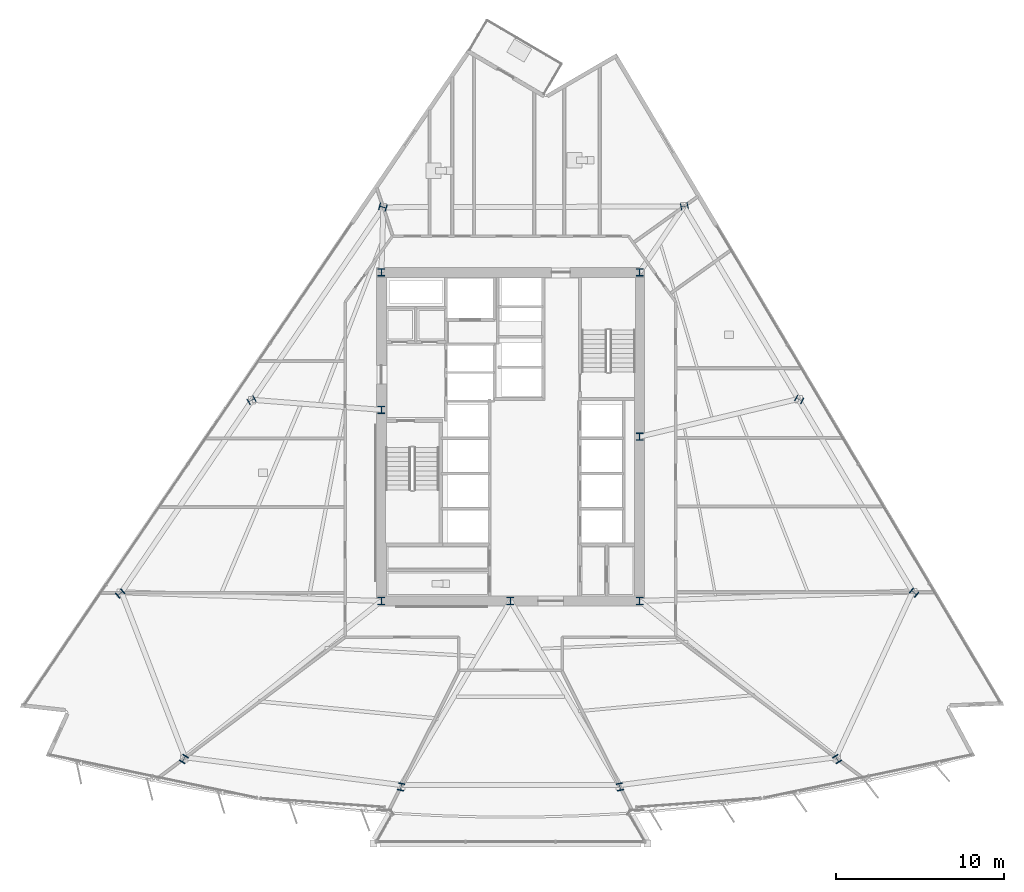
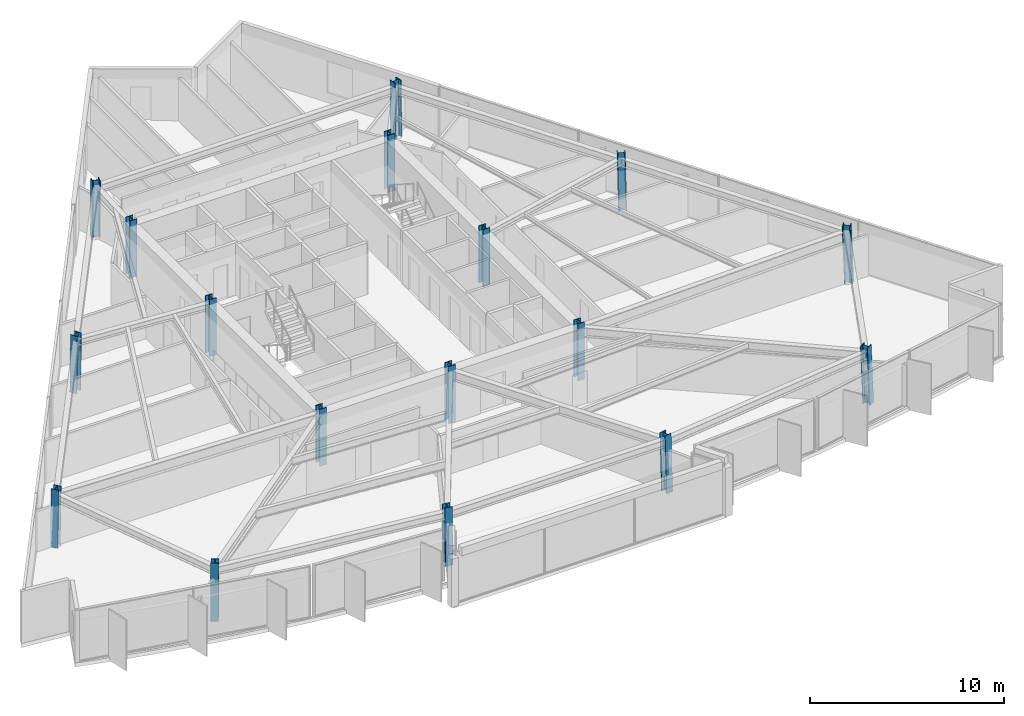
# One storey, part 1 of 16: 17 columns.
"""IFC4 building model written with IfcOpenShell, lengths in metres."""

import ifcopenshell
import ifcopenshell.guid

model = None  # the IFC model being written
_history = None  # IfcOwnerHistory: only IFC2X3 demands one
_inside = {}  # id of a spatial element -> (the spatial element, [elements in it])
_under = {}  # id of a project, library or spatial element -> (it, [spatial elements below it])
_declared = {}  # id of a project -> (the project, [libraries it declares])
_typed = {}  # id of a type object -> (the type object, [elements of that type])
_made_of = {}  # id of a material, layer set ... -> (it, [elements and type objects made of it])


def new_model(schema):
    """Start an empty IFC model of exactly this schema.

    Asked for "IFC4X3", IfcOpenShell would pick the latest addendum, in which some entities
    have other attributes; the version numbers below select the first issue.
    IFC2X3 requires an IfcOwnerHistory on every rooted entity: one is made here for all.
    """
    global model, _history
    if schema == "IFC4X3":
        model = ifcopenshell.file(schema_version=(4, 3, 0, 0))
    else:
        model = ifcopenshell.file(schema=schema)
    _inside.clear()
    _under.clear()
    _declared.clear()
    _typed.clear()
    _made_of.clear()
    _history = None
    if model.schema == "IFC2X3":
        org = make("IfcOrganization", Name="unknown")
        user = make(
            "IfcPersonAndOrganization",
            ThePerson=make("IfcPerson", FamilyName="unknown"),
            TheOrganization=org,
        )
        app = make(
            "IfcApplication",
            ApplicationDeveloper=org,
            Version="unknown",
            ApplicationFullName="unknown",
            ApplicationIdentifier="unknown",
        )
        _history = make(
            "IfcOwnerHistory",
            OwningUser=user,
            OwningApplication=app,
            ChangeAction="ADDED",
            CreationDate=0,
        )
    return model


def make(cls, **values):
    """One entity of the class cls with the attributes given. An attribute that is None is left unset."""
    return model.create_entity(
        cls, **{name: value for name, value in values.items() if value is not None}
    )


def rooted(cls, **values):
    """An entity with a GlobalId (a new one), such as an element, a storey or a relation."""
    return make(cls, GlobalId=ifcopenshell.guid.new(), OwnerHistory=_history, **values)


def si_unit(unit_type, name, prefix=None):
    """IfcSIUnit, for example si_unit("LENGTHUNIT", "METRE", prefix="MILLI")."""
    return make("IfcSIUnit", UnitType=unit_type, Prefix=prefix, Name=name)


def assignment(units):
    """IfcUnitAssignment: the units of a project."""
    return None if units is None else make("IfcUnitAssignment", Units=units)


def point(xyz):
    """IfcCartesianPoint."""
    return None if xyz is None else make("IfcCartesianPoint", Coordinates=xyz)


def direction(xyz):
    """IfcDirection."""
    return None if xyz is None else make("IfcDirection", DirectionRatios=xyz)


def frame(location, z_axis=None, x_axis=None):
    """IfcAxis2Placement3D, a coordinate frame: its origin and axes. An axis left out is left unset."""
    return make(
        "IfcAxis2Placement3D",
        Location=point(location),
        Axis=direction(z_axis),
        RefDirection=direction(x_axis),
    )


def frame_2d(location, x_axis=None):
    """IfcAxis2Placement2D, a coordinate frame in the plane: its origin and x axis."""
    return make(
        "IfcAxis2Placement2D", Location=point(location), RefDirection=direction(x_axis)
    )


def origin():
    """The frame at (0, 0, 0) with its axes left unset."""
    return frame((0.0, 0.0, 0.0))


def origin_2d():
    """The frame at (0, 0) in the plane with its x axis left unset."""
    return frame_2d((0.0, 0.0))


def place(relative_to, where):
    """IfcLocalPlacement: puts the frame where relative to a parent placement (None: the world)."""
    return make(
        "IfcLocalPlacement", PlacementRelTo=relative_to, RelativePlacement=where
    )


def context(
    kind, dimensions, precision=None, world=None, true_north=None, identifier=None
):
    """IfcGeometricRepresentationContext, for example the 3D "Model" context."""
    return make(
        "IfcGeometricRepresentationContext",
        ContextIdentifier=identifier,
        ContextType=kind,
        CoordinateSpaceDimension=dimensions,
        Precision=precision,
        WorldCoordinateSystem=world,
        TrueNorth=true_north,
    )


def subcontext(parent, identifier, kind, view, scale=None):
    """IfcGeometricRepresentationSubContext, for example "Body" below "Model"."""
    return make(
        "IfcGeometricRepresentationSubContext",
        ContextIdentifier=identifier,
        ContextType=kind,
        ParentContext=parent,
        TargetScale=scale,
        TargetView=view,
    )


def project(units=None, contexts=None):
    """IfcProject with its units and contexts."""
    return rooted(
        "IfcProject",
        Name="project",
        RepresentationContexts=contexts,
        UnitsInContext=assignment(units),
    )


def spatial(cls, under=None, at=None, **own):
    """A site, building, storey or space (cls), placed at a placement, below another one or the project."""
    s = rooted(cls, ObjectPlacement=at, **own)
    if under is not None:
        _under.setdefault(under.id(), (under, []))[1].append(s)
    return s


def profile(cls, at=None, kind="AREA", **sizes):
    """A parametric profile (cls). Its sizes go by their IFC names, for example OverallWidth=200.0."""
    return make(cls, ProfileType=kind, Position=at, **sizes)


def i_section(**sizes):
    """IfcIShapeProfileDef."""
    return profile("IfcIShapeProfileDef", **sizes)


def extrude(swept, where, along, depth):
    """IfcExtrudedAreaSolid: the profile swept, set in the frame where, extruded along a direction by depth."""
    return make(
        "IfcExtrudedAreaSolid",
        SweptArea=swept,
        Position=where,
        ExtrudedDirection=direction(along),
        Depth=depth,
    )


def shape(context_of_items, identifier, shape_type, items):
    """IfcShapeRepresentation: the items that make up one representation, for example the "Body"."""
    return make(
        "IfcShapeRepresentation",
        ContextOfItems=context_of_items,
        RepresentationIdentifier=identifier,
        RepresentationType=shape_type,
        Items=items,
    )


def material(Name=None, Category=None):
    """IfcMaterial."""
    return make("IfcMaterial", Name=Name, Category=Category)


def material_profile(
    of_material, cross_section, Name=None, Category=None, Priority=None
):
    """IfcMaterialProfile: a cross section and its material."""
    return make(
        "IfcMaterialProfile",
        Name=Name,
        Material=of_material,
        Profile=cross_section,
        Priority=Priority,
        Category=Category,
    )


def profile_set(profiles, Name=None, composite=None):
    """IfcMaterialProfileSet."""
    return make(
        "IfcMaterialProfileSet",
        Name=Name,
        MaterialProfiles=profiles,
        CompositeProfile=composite,
    )


def made_of(thing, what):
    """Note that an element or type object is made of a material, layer set ...; save() writes the relation."""
    if what is not None:
        _made_of.setdefault(what.id(), (what, []))[1].append(thing)
    return thing


def type_object(cls, material=None, **own):
    """A type object (cls), such as IfcWallType, which elements share."""
    return made_of(rooted(cls, **own), material)


def element(
    cls,
    number,
    at=None,
    inside=None,
    cuts=None,
    type_object=None,
    material=None,
    context=None,
    identifier="Body",
    shape_type=None,
    held_by="IfcProductDefinitionShape",
    body=None,
    shapes=None,
    **own,
):
    """One element of the class cls, such as IfcWall. Its Tag is "e" and its number.

    at: its placement. inside: the storey or other place that contains it. cuts: it is an
    opening in that element (IfcRelVoidsElement). A single representation is given by context,
    identifier, shape_type and body (its items); several are given by shapes. held_by: the class
    of the entity that holds the representations. save() writes the other relations.
    """
    e = rooted(cls, Tag="e%d" % number, ObjectPlacement=at, **own)
    if body is not None:
        shapes = [shape(context, identifier, shape_type, body)]
    if shapes is not None:
        e.Representation = make(held_by, Representations=shapes)
    if inside is not None:
        _inside.setdefault(inside.id(), (inside, []))[1].append(e)
    if cuts is not None:
        rooted(
            "IfcRelVoidsElement", RelatingBuildingElement=cuts, RelatedOpeningElement=e
        )
    if type_object is not None:
        _typed.setdefault(type_object.id(), (type_object, []))[1].append(e)
    return made_of(e, material)


def aggregate(whole, parts):
    """IfcRelAggregates: a whole, such as a stair, and the parts it consists of."""
    return rooted("IfcRelAggregates", RelatingObject=whole, RelatedObjects=parts)


def save(model, path):
    """Write the relations noted so far, then the file.

    IfcRelAggregates (storeys below a building ...), IfcRelContainedInSpatialStructure (elements
    in a storey), IfcRelDefinesByType, IfcRelAssociatesMaterial and IfcRelDeclares: one each for
    every whole, place, type object, material and project.
    """
    for whole, parts in _under.values():
        aggregate(whole, parts)
    for where, things in _inside.values():
        rooted(
            "IfcRelContainedInSpatialStructure",
            RelatedElements=things,
            RelatingStructure=where,
        )
    for kind, things in _typed.values():
        rooted("IfcRelDefinesByType", RelatedObjects=things, RelatingType=kind)
    for what, things in _made_of.values():
        rooted("IfcRelAssociatesMaterial", RelatedObjects=things, RelatingMaterial=what)
    for by, libraries in _declared.values():
        rooted("IfcRelDeclares", RelatingContext=by, RelatedDefinitions=libraries)
    model.write(path)


model = new_model("IFC4")

# Units and contexts
model_context = context("Model", 3, precision=1e-05, world=origin(), true_north=direction((0.0, 1.0)))
body_context = subcontext(model_context, "Body", "Model", "MODEL_VIEW")
ifc_project = project(units=[si_unit("LENGTHUNIT", "METRE"), si_unit("AREAUNIT", "SQUARE_METRE"), si_unit("VOLUMEUNIT", "CUBIC_METRE"), si_unit("PLANEANGLEUNIT", "RADIAN"), si_unit("MASSUNIT", "GRAM", prefix="KILO")], contexts=[model_context])

# Site, building, storey
site_placement = place(None, origin())
site = spatial("IfcSite", under=ifc_project, at=site_placement, CompositionType="ELEMENT")
building_placement = place(site_placement, origin())
building = spatial("IfcBuilding", under=site, at=building_placement, Name="Savorim Split Tower", CompositionType="ELEMENT")
storey_placement = place(building_placement, frame((0.0, 0.0, 69.60009765625)))
storey = spatial("IfcBuildingStorey", under=building, at=storey_placement, Name="L18", CompositionType="ELEMENT", Elevation=69.60009765625)

# Columns
ifc_material = material(Name="Steel S460", Category="steel")
ifc_material_profile_1 = material_profile(ifc_material, i_section(OverallWidth=0.412109375, OverallDepth=0.43505859375, WebThickness=0.022705078125, FlangeThickness=0.037109375, FilletRadius=0.014892578125, at=origin_2d()), Name="HD 400x463")
ifc_profile_set_1 = profile_set([ifc_material_profile_1], Name="Steel S460")
column_type_1 = type_object("IfcColumnType", Name="COL-HD-463", PredefinedType="COLUMN", material=ifc_profile_set_1)
column_1_placement = place(storey_placement, frame((-19.49365234375, -18.844482421875, 0.00537109375), z_axis=(0.020594893987, 0.033509183946, 0.999226193078), x_axis=(-0.851954850327, 0.523615252838, 0.0)))
element("IfcColumn", 1, at=column_1_placement, inside=storey, type_object=column_type_1, Name="L18 Tapered Perimeter Column PC-S1", PredefinedType="COLUMN", context=body_context, shape_type="SweptSolid", body=[
    extrude(i_section(OverallWidth=0.412109375, OverallDepth=0.43505859375, WebThickness=0.022705078125, FlangeThickness=0.037109375, FilletRadius=0.014892578125, at=origin_2d()), origin(), (0.0, 0.0, 1.0), 3.591796875),
])
for number, where, z_axis, x_axis, name in (
    (2, (-6.533203125, -20.508544921875, 0.00537109375), (0.006865841702, 0.035280909339, 0.999353850072), (-0.981585848295, 0.191021523464, 0.0), "L18 Tapered Perimeter Column PC-S2"),
    (3, (6.533203125, -20.508544921875, 0.00537109375), (-0.006865841702, 0.035280909339, 0.999353850072), (-0.981585848295, -0.191021523464, 0.0), "L18 Tapered Perimeter Column PC-S3"),
):
    element("IfcColumn", number, at=place(storey_placement, frame(where, z_axis=z_axis, x_axis=x_axis)), inside=storey, type_object=column_type_1, Name=name, PredefinedType="COLUMN", context=body_context, shape_type="SweptSolid", body=[
        extrude(i_section(OverallWidth=0.412109375, OverallDepth=0.43505859375, WebThickness=0.022705078125, FlangeThickness=0.037109375, FilletRadius=0.014892578125, at=origin_2d()), origin(), (0.0, 0.0, 1.0), 3.591552734375),
    ])
column_2_placement = place(storey_placement, frame((19.49365234375, -18.844482421875, 0.00537109375), z_axis=(-0.020594893987, 0.033509183946, 0.999226193078), x_axis=(-0.851954850327, -0.523615252838, 0.0)))
element("IfcColumn", 4, at=column_2_placement, inside=storey, type_object=column_type_1, Name="L18 Tapered Perimeter Column PC-S4", PredefinedType="COLUMN", context=body_context, shape_type="SweptSolid", body=[
    extrude(i_section(OverallWidth=0.412109375, OverallDepth=0.43505859375, WebThickness=0.022705078125, FlangeThickness=0.037109375, FilletRadius=0.014892578125, at=origin_2d()), origin(), (0.0, 0.0, 1.0), 3.591796875),
])
column_3_placement = place(storey_placement, frame((24.08642578125, -8.912109375, 0.00537109375), z_axis=(-0.026105663043, 0.021618752208, 0.999425396871), x_axis=(-0.637813971185, -0.770190455771, 0.0)))
element("IfcColumn", 5, at=column_3_placement, inside=storey, type_object=column_type_1, Name="L18 Tapered Perimeter Column PC-E1", PredefinedType="COLUMN", context=body_context, shape_type="SweptSolid", body=[
    extrude(i_section(OverallWidth=0.412109375, OverallDepth=0.43505859375, WebThickness=0.022705078125, FlangeThickness=0.037109375, FilletRadius=0.014892578125, at=origin_2d()), origin(), (0.0, 0.0, 1.0), 3.591064453125),
])
column_4_placement = place(storey_placement, frame((17.232666015625, 2.6142578125, 0.00537109375), z_axis=(-0.018906028715, 0.009589028952, 0.999775281052), x_axis=(-0.452339157861, -0.891845999187, 0.0)))
element("IfcColumn", 6, at=column_4_placement, inside=storey, type_object=column_type_1, Name="L18 Tapered Perimeter Column PC-E2", PredefinedType="COLUMN", context=body_context, shape_type="SweptSolid", body=[
    extrude(i_section(OverallWidth=0.412109375, OverallDepth=0.43505859375, WebThickness=0.022705078125, FlangeThickness=0.037109375, FilletRadius=0.014892578125, at=origin_2d()), origin(), (0.0, 0.0, 1.0), 3.58984375),
])
for number, where, z_axis, x_axis, name in (
    (7, (10.37890625, 14.140625, 0.00537109375), (-0.011767054935, -0.002516653368, 0.999927598816), (0.209143047003, -0.977885057607, 0.0), "L18 Tapered Perimeter Column PC-E3"),
    (8, (-7.6123046875, 14.091796875, 0.00537109375), (0.008774547672, -0.002516730728, 0.999958335822), (0.275705143097, 0.961242255662, 0.0), "L18 Tapered Perimeter Column PC-W1"),
):
    element("IfcColumn", number, at=place(storey_placement, frame(where, z_axis=z_axis, x_axis=x_axis)), inside=storey, type_object=column_type_1, Name=name, PredefinedType="COLUMN", context=body_context, shape_type="SweptSolid", body=[
        extrude(i_section(OverallWidth=0.412109375, OverallDepth=0.43505859375, WebThickness=0.022705078125, FlangeThickness=0.037109375, FilletRadius=0.014892578125, at=origin_2d()), origin(), (0.0, 0.0, 1.0), 3.58935546875),
    ])
column_5_placement = place(storey_placement, frame((-15.45361328125, 2.5654296875, 0.00537109375), z_axis=(0.017070395515, 0.009589345688, 0.99980830465), x_axis=(-0.489766415861, 0.871853690647, 0.0)))
element("IfcColumn", 9, at=column_5_placement, inside=storey, type_object=column_type_1, Name="L18 Tapered Perimeter Column PC-W2", PredefinedType="COLUMN", context=body_context, shape_type="SweptSolid", body=[
    extrude(i_section(OverallWidth=0.412109375, OverallDepth=0.43505859375, WebThickness=0.022705078125, FlangeThickness=0.037109375, FilletRadius=0.014892578125, at=origin_2d()), origin(), (0.0, 0.0, 1.0), 3.58984375),
])
column_6_placement = place(storey_placement, frame((-23.294677734375, -8.960693359375, 0.00537109375), z_axis=(0.025222486673, 0.021551289152, 0.999449532544), x_axis=(-0.649609258817, 0.760268249278, 0.0)))
element("IfcColumn", 10, at=column_6_placement, inside=storey, type_object=column_type_1, Name="L18 Tapered Perimeter Column PC-W3", PredefinedType="COLUMN", context=body_context, shape_type="SweptSolid", body=[
    extrude(i_section(OverallWidth=0.412109375, OverallDepth=0.43505859375, WebThickness=0.022705078125, FlangeThickness=0.037109375, FilletRadius=0.014892578125, at=origin_2d()), origin(), (0.0, 0.0, 1.0), 3.591064453125),
])
ifc_material_profile_2 = material_profile(ifc_material, i_section(OverallWidth=0.416015625, OverallDepth=0.446044921875, WebThickness=0.02490234375, FlangeThickness=0.0400390625, FilletRadius=0.014892578125, at=origin_2d()), Name="HD 400x509")
ifc_profile_set_2 = profile_set([ifc_material_profile_2], Name="Steel S460")
column_type_2 = type_object("IfcColumnType", Name="COL-HD-509", PredefinedType="COLUMN", material=ifc_profile_set_2)
for number, where, z_axis, x_axis, name in (
    (11, (-7.699951171875, -9.39990234375, 0.0), (0.0, 0.0, 1.0), (1.0, 0.0, 0.0), "L18 Core Structural Column TC-C1"),
    (12, (7.699951171875, -9.39990234375, 0.0), (0.0, 0.0, 1.0), (1.0, 0.0, 0.0), "L18 Core Structural Column TC-C2"),
    (13, (7.699951171875, 10.199951171875, 0.0), (0.0, 0.0, 1.0), (1.0, 0.0, 0.0), "L18 Core Structural Column TC-C3"),
    (14, (-7.699951171875, 10.199951171875, 0.0), (0.0, 0.0, 1.0), (1.0, 0.0, 0.0), "L18 Core Structural Column TC-C4"),
    (15, (0.0, -9.39990234375, 0.0), (0.0, 0.0, 1.0), (1.0, 0.0, 0.0), "L18 Core Structural Column TC-C5"),
    (16, (7.699951171875, 0.39990234375, 0.0), (0.0, 0.0, 1.0), (1.0, 0.0, 0.0), "L18 Core Structural Column TC-C6"),
    (17, (-7.699951171875, 2.0, 0.0), (0.0, 0.0, 1.0), (1.0, 0.0, 0.0), "L18 Core Structural Column TC-C7"),
):
    element("IfcColumn", number, at=place(storey_placement, frame(where, z_axis=z_axis, x_axis=x_axis)), inside=storey, type_object=column_type_2, Name=name, PredefinedType="COLUMN", context=body_context, shape_type="SweptSolid", body=[
        extrude(i_section(OverallWidth=0.416015625, OverallDepth=0.446044921875, WebThickness=0.02490234375, FlangeThickness=0.0400390625, FilletRadius=0.014892578125, at=origin_2d()), origin(), (0.0, 0.0, 1.0), 3.599853515625),
    ])

save(model, "model.ifc")
